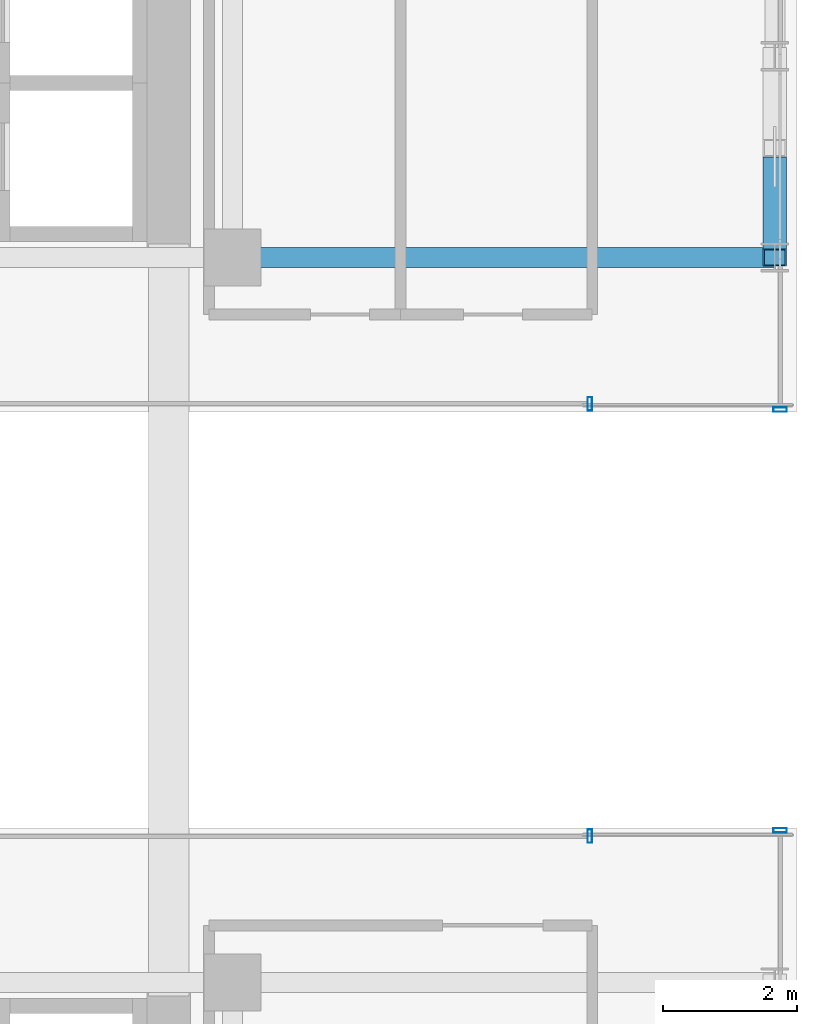
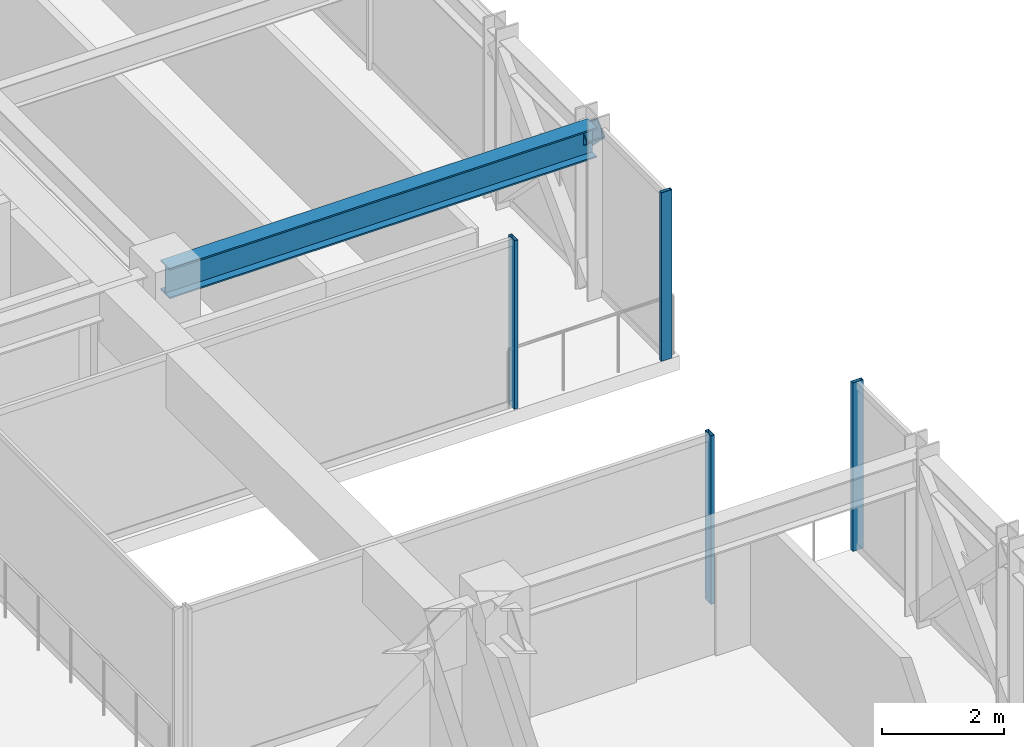
# One storey, part 20 of 43: 5 members, 1 beam, 4 elements without a shape of their own.
"""IFC4 building model written with IfcOpenShell, lengths in metres."""

from ifc_helpers import new_model, si_unit, direction, frame, origin, origin_2d, place, context, subcontext, project, spatial, hollow_rectangle, i_section, extrude, source, transform, mapped, material, material_profile, profile_set, type_object, element, aggregate, save


model = new_model("IFC4")

# Units and contexts
model_context = context("Model", 3, precision=1e-05, world=origin(), true_north=direction((0.0, 1.0)))
body_context = subcontext(model_context, "Body", "Model", "MODEL_VIEW")
ifc_project = project(units=[si_unit("LENGTHUNIT", "METRE"), si_unit("AREAUNIT", "SQUARE_METRE"), si_unit("VOLUMEUNIT", "CUBIC_METRE"), si_unit("PLANEANGLEUNIT", "RADIAN"), si_unit("MASSUNIT", "GRAM", prefix="KILO")], contexts=[model_context])

# Site, building, storey
site_placement = place(None, origin())
site = spatial("IfcSite", under=ifc_project, at=site_placement, CompositionType="ELEMENT")
building_placement = place(site_placement, origin())
building = spatial("IfcBuilding", under=site, at=building_placement, Name="Nahalor Promenade Grand Hotel", CompositionType="ELEMENT")
storey_placement = place(building_placement, frame((0.0, 0.0, 47.0)))
storey = spatial("IfcBuildingStorey", under=building, at=storey_placement, Name="L10", CompositionType="ELEMENT", Elevation=47.0)

# Beam
ifc_material_1 = material(Name="Steel S355JR", Category="steel")
ifc_material_profile_1 = material_profile(ifc_material_1, i_section(OverallWidth=0.3, OverallDepth=0.6, WebThickness=0.0155, FlangeThickness=0.03, at=origin_2d()), Name="HEB 600")
ifc_profile_set_1 = profile_set([ifc_material_profile_1], Name="Steel S355JR")
beam_type = type_object("IfcBeamType", Name="Beam-Girder-HEB600", PredefinedType="BEAM", material=ifc_profile_set_1)
shared_shape_1 = source(origin(), body_context, "Body", "SweptSolid", [
    extrude(i_section(OverallWidth=0.3, OverallDepth=0.6, WebThickness=0.0155, FlangeThickness=0.03, at=origin_2d()), origin(), (0.0, 0.0, 1.0), 8.080078125),
])
beam_placement = place(storey_placement, frame((17.0, 5.39990234375, 3.070068359375), z_axis=(1.0, 0.0, 0.0), x_axis=(0.0, 1.0, 0.0)))
element("IfcBeam", 1, at=beam_placement, inside=storey, type_object=beam_type, Name="BM-L10-GX-2-6", PredefinedType="BEAM", context=body_context, shape_type="MappedRepresentation", body=[
    mapped(shared_shape_1, transform((0.0, 0.0, 0.0), scale=1.0)),
])

# Member
ifc_material_profile_2 = material_profile(ifc_material_1, hollow_rectangle(XDim=0.35, YDim=0.35, WallThickness=0.02, at=origin_2d()), Name="SHS 350x350x20")
ifc_profile_set_2 = profile_set([ifc_material_profile_2], Name="Steel S355JR")
member_type_1 = type_object("IfcMemberType", Name="Mem-VoidBrace-SHS350", PredefinedType="BRACE", material=ifc_profile_set_2)
shared_shape_2 = source(origin(), body_context, "Body", "SweptSolid", [
    extrude(hollow_rectangle(XDim=0.35, YDim=0.35, WallThickness=0.02, at=origin_2d()), origin(), (0.0, 0.0, 1.0), 1.959228515625),
])
member_1_placement = place(storey_placement, frame((25.080078125, 6.769287109375, 1.81884765625), z_axis=(0.0, -0.698960471031, 0.715160303663), x_axis=(1.0, 0.0, 0.0)))
element("IfcMember", 2, at=member_1_placement, inside=storey, type_object=member_type_1, Name="EXO-L10-VX2-E1B", PredefinedType="BRACE", context=body_context, shape_type="MappedRepresentation", body=[
    mapped(shared_shape_2, transform((0.0, 0.0, 0.0), scale=1.0)),
])

# Curtain wall, member
ifc_material_2 = material(Name="Anodised Bronze Aluminium EN AW-6063 T6", Category="aluminium")
curtain_wall_type = type_object("IfcCurtainWallType", Name="CW3 Elliptical-Void Collar Unitised Curtain Wall", PredefinedType="USERDEFINED", material=ifc_material_2)
curtain_wall_1_placement = place(storey_placement, origin())
curtain_wall_1 = element("IfcCurtainWall", 3, at=curtain_wall_1_placement, inside=storey, type_object=curtain_wall_type, Name="L10 Curtain Wall CW-L10-E-1", ObjectType="UNITISED_CURTAIN_WALL", PredefinedType="USERDEFINED")
ifc_material_profile_3 = material_profile(ifc_material_2, hollow_rectangle(XDim=0.07, YDim=0.2, WallThickness=0.005, at=origin_2d()), Name="CWM 70x200x5")
ifc_profile_set_3 = profile_set([ifc_material_profile_3], Name="Anodised Bronze Aluminium EN AW-6063 T6")
member_type_2 = type_object("IfcMemberType", Name="CWM3 Void Collar Mullion 70x200", PredefinedType="MULLION", material=ifc_profile_set_3)
shared_shape_3 = source(origin(), body_context, "Body", "SweptSolid", [
    extrude(hollow_rectangle(XDim=0.07, YDim=0.2, WallThickness=0.005, at=origin_2d()), origin(), (0.0, 0.0, 1.0), 3.3701171875),
])
member_2_placement = place(storey_placement, frame((25.159912109375, -3.135009765625, 0.0), z_axis=(0.0, 0.0, 1.0), x_axis=(0.0, 1.0, 0.0)))
member_2 = element("IfcMember", 4, at=member_2_placement, type_object=member_type_2, Name="CW-L10-E-1 Mullion 2", PredefinedType="MULLION", context=body_context, shape_type="MappedRepresentation", body=[
    mapped(shared_shape_3, transform((0.0, 0.0, 0.0), scale=1.0)),
])
aggregate(curtain_wall_1, [member_2])

curtain_wall_2_placement = place(storey_placement, origin())
curtain_wall_2 = element("IfcCurtainWall", 5, at=curtain_wall_2_placement, inside=storey, type_object=curtain_wall_type, Name="L10 Curtain Wall CW-L10-E-2", ObjectType="UNITISED_CURTAIN_WALL", PredefinedType="USERDEFINED")
member_3_placement = place(storey_placement, frame((25.159912109375, 3.135009765625, 0.0), z_axis=(0.0, 0.0, 1.0), x_axis=(0.0, 1.0, 0.0)))
member_3 = element("IfcMember", 6, at=member_3_placement, type_object=member_type_2, Name="CW-L10-E-2 Mullion 0", PredefinedType="MULLION", context=body_context, shape_type="MappedRepresentation", body=[
    mapped(shared_shape_3, transform((0.0, 0.0, 0.0), scale=1.0)),
])
aggregate(curtain_wall_2, [member_3])

curtain_wall_3_placement = place(storey_placement, origin())
curtain_wall_3 = element("IfcCurtainWall", 7, at=curtain_wall_3_placement, inside=storey, type_object=curtain_wall_type, Name="L10 Curtain Wall CW-L10-VOID-ES1", ObjectType="UNITISED_CURTAIN_WALL", PredefinedType="USERDEFINED")
member_4_placement = place(storey_placement, frame((22.324951171875, -3.219970703125, 0.0), z_axis=(0.0, 0.0, 1.0), x_axis=(1.0, 0.0, 0.0)))
member_4 = element("IfcMember", 8, at=member_4_placement, type_object=member_type_2, Name="CW-L10-VOID-ES1 Mullion 1", PredefinedType="MULLION", context=body_context, shape_type="MappedRepresentation", body=[
    mapped(shared_shape_3, transform((0.0, 0.0, 0.0), scale=1.0)),
])
aggregate(curtain_wall_3, [member_4])

curtain_wall_4_placement = place(storey_placement, origin())
curtain_wall_4 = element("IfcCurtainWall", 9, at=curtain_wall_4_placement, inside=storey, type_object=curtain_wall_type, Name="L10 Curtain Wall CW-L10-VOID-EN1", ObjectType="UNITISED_CURTAIN_WALL", PredefinedType="USERDEFINED")
member_5_placement = place(storey_placement, frame((22.324951171875, 3.219970703125, 0.0), z_axis=(0.0, 0.0, 1.0), x_axis=(1.0, 0.0, 0.0)))
member_5 = element("IfcMember", 10, at=member_5_placement, type_object=member_type_2, Name="CW-L10-VOID-EN1 Mullion 1", PredefinedType="MULLION", context=body_context, shape_type="MappedRepresentation", body=[
    mapped(shared_shape_3, transform((0.0, 0.0, 0.0), scale=1.0)),
])
aggregate(curtain_wall_4, [member_5])

save(model, "model.ifc")
